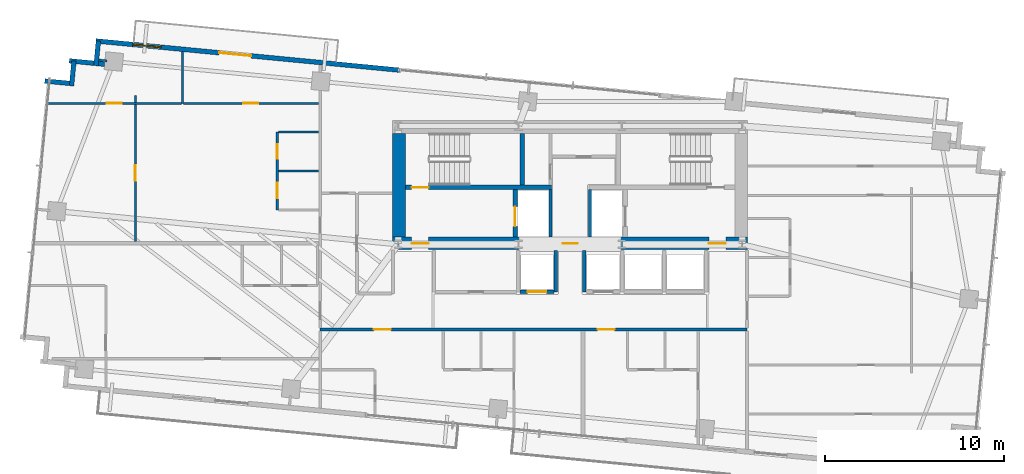
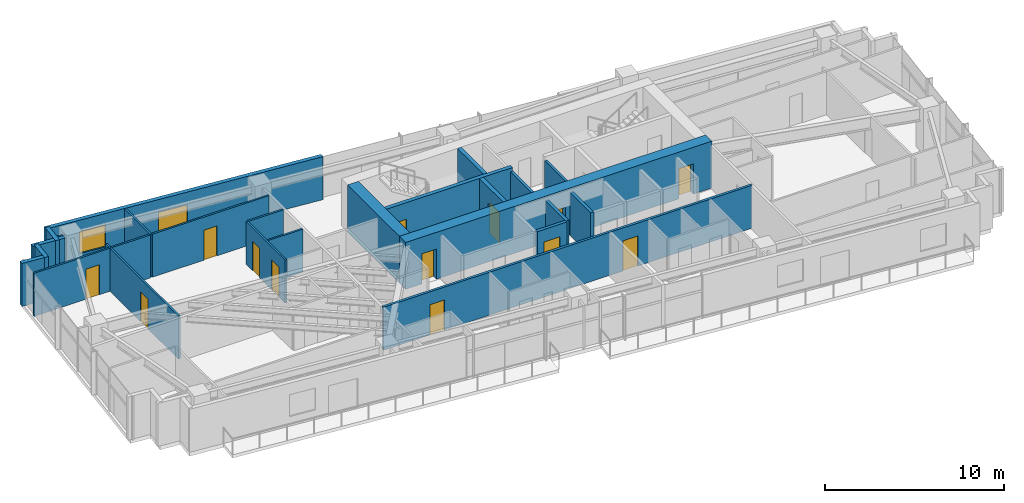
# One storey, part 16 of 20: 25 walls, 14 doors, 1 window, 15 openings.
"""IFC4 building model written with IfcOpenShell, lengths in metres."""

from ifc_helpers import new_model, si_unit, direction, frame, frame_2d, origin, place, context, subcontext, project, spatial, rectangle, extrude, source, transform, mapped, material, layer, layer_set, type_object, type_shapes, element, fill, save


model = new_model("IFC4")

# Units and contexts
model_context = context("Model", 3, precision=1e-05, world=origin(), true_north=direction((0.0, 1.0)))
body_context = subcontext(model_context, "Body", "Model", "MODEL_VIEW")
ifc_project = project(units=[si_unit("LENGTHUNIT", "METRE"), si_unit("AREAUNIT", "SQUARE_METRE"), si_unit("VOLUMEUNIT", "CUBIC_METRE"), si_unit("PLANEANGLEUNIT", "RADIAN"), si_unit("MASSUNIT", "GRAM", prefix="KILO")], contexts=[model_context])

# Site, building, storey
site_placement = place(None, origin())
site = spatial("IfcSite", under=ifc_project, at=site_placement, CompositionType="ELEMENT")
building_placement = place(site_placement, origin())
building = spatial("IfcBuilding", under=site, at=building_placement, Name="Astriad Promenade Condominiums", CompositionType="ELEMENT")
storey_placement = place(building_placement, frame((0.0, 0.0, 131.0)))
storey = spatial("IfcBuildingStorey", under=building, at=storey_placement, Name="L37", CompositionType="ELEMENT", Elevation=131.0)

# Wall, openings, doors
ifc_material_1 = material(Name="Concrete C60/75", Category="concrete")
ifc_layer_1 = layer(ifc_material_1, 0.699951171875)
ifc_layer_set_1 = layer_set([ifc_layer_1], Name="Concrete C60/75")
wall_type_1 = type_object("IfcWallType", Name="CW-SHEAR-700", PredefinedType="SHEAR", material=ifc_layer_set_1)
wall_1_placement = place(storey_placement, frame((26.10009765625, 17.449951171875, 0.0), z_axis=(0.0, 0.0, 1.0), x_axis=(1.0, 0.0, 0.0)))
wall_1 = element("IfcWall", 1, at=wall_1_placement, inside=storey, type_object=wall_type_1, Name="CW-CORE-S-L37", PredefinedType="SHEAR", context=body_context, shape_type="SweptSolid", body=[
    extrude(rectangle(XDim=19.7998046875, YDim=0.699951171875, at=frame_2d((9.89990234375, 0.0))), origin(), (0.0, 0.0, 1.0), 3.199951171875),
])
opening_1_placement = place(wall_1_placement, frame((1.050048828125, 0.0, 0.0)))
opening_1 = element("IfcOpeningElement", 2, at=opening_1_placement, cuts=wall_1, Name="Opening FD90-ST-095", PredefinedType="OPENING", context=body_context, shape_type="SweptSolid", body=[
    extrude(rectangle(XDim=0.949951171875, YDim=2.06005859375, at=frame_2d((0.47509765625, 1.030029296875))), frame((0.0, 0.35986328125, 0.0), z_axis=(0.0, -1.0, 0.0), x_axis=(1.0, 0.0, 0.0)), (0.0, 0.0, 1.0), 0.719970703125),
])
opening_2_placement = place(wall_1_placement, frame((9.47998046875, 0.0, 0.0)))
opening_2 = element("IfcOpeningElement", 3, at=opening_2_placement, cuts=wall_1, Name="Opening FD60-ULOW-085", PredefinedType="OPENING", context=body_context, shape_type="SweptSolid", body=[
    extrude(rectangle(XDim=0.85009765625, YDim=2.0, at=frame_2d((0.425048828125, 1.0))), frame((0.0, 0.35986328125, 0.0), z_axis=(0.0, -1.0, 0.0), x_axis=(1.0, 0.0, 0.0)), (0.0, 0.0, 1.0), 0.719970703125),
])
opening_3_placement = place(wall_1_placement, frame((17.64990234375, 0.0, 0.0)))
opening_3 = element("IfcOpeningElement", 4, at=opening_3_placement, cuts=wall_1, Name="Opening FD90-ST-095", PredefinedType="OPENING", context=body_context, shape_type="SweptSolid", body=[
    extrude(rectangle(XDim=0.949951171875, YDim=2.06005859375, at=frame_2d((0.47509765625, 1.030029296875))), frame((0.0, 0.35986328125, 0.0), z_axis=(0.0, -1.0, 0.0), x_axis=(1.0, 0.0, 0.0)), (0.0, 0.0, 1.0), 0.719970703125),
])
ifc_material_2 = material(Name="Fire-Rated Hollow Metal Stair Door")
door_type_1 = type_object("IfcDoorType", Name="FD90-ST-095", OperationType="NOTDEFINED", PredefinedType="DOOR", material=ifc_material_2)
shared_shape_1 = source(origin(), body_context, "Body", "SweptSolid", [
    extrude(rectangle(XDim=0.949951171875, YDim=2.06005859375, at=frame_2d((0.47509765625, 1.030029296875))), frame((0.0, 0.02490234375, 0.0), z_axis=(0.0, -1.0, 0.0), x_axis=(1.0, 0.0, 0.0)), (0.0, 0.0, 1.0), 0.050048828125),
])
type_shapes(door_type_1, [shared_shape_1])
door_1_placement = place(opening_1_placement, origin())
door_1 = element("IfcDoor", 5, at=door_1_placement, inside=storey, type_object=door_type_1, Name="D-FFW-L37", OperationType="SINGLE_SWING_LEFT", OverallHeight=2.06005859375, OverallWidth=0.949951171875, PredefinedType="DOOR", context=body_context, shape_type="MappedRepresentation", body=[
    mapped(shared_shape_1, transform((0.0, 0.0, 0.0), scale=1.0)),
])
fill(opening_1, door_1)
door_2_placement = place(opening_3_placement, origin())
door_2 = element("IfcDoor", 6, at=door_2_placement, inside=storey, type_object=door_type_1, Name="D-FFE-L37", OperationType="SINGLE_SWING_RIGHT", OverallHeight=2.06005859375, OverallWidth=0.949951171875, PredefinedType="DOOR", context=body_context, shape_type="MappedRepresentation", body=[
    mapped(shared_shape_1, transform((0.0, 0.0, 0.0), scale=1.0)),
])
fill(opening_3, door_2)
ifc_material_3 = material(Name="Solid-Core Low-Headroom Fire Door")
door_type_2 = type_object("IfcDoorType", Name="FD60-ULOW-085", OperationType="NOTDEFINED", PredefinedType="DOOR", material=ifc_material_3)
shared_shape_2 = source(origin(), body_context, "Body", "SweptSolid", [
    extrude(rectangle(XDim=0.85009765625, YDim=2.0, at=frame_2d((0.425048828125, 1.0))), frame((0.0, 0.02490234375, 0.0), z_axis=(0.0, -1.0, 0.0), x_axis=(1.0, 0.0, 0.0)), (0.0, 0.0, 1.0), 0.050048828125),
])
type_shapes(door_type_2, [shared_shape_2])
door_3_placement = place(opening_2_placement, origin())
door_3 = element("IfcDoor", 7, at=door_3_placement, inside=storey, type_object=door_type_2, Name="D-CSL-L37", OperationType="SINGLE_SWING_RIGHT", OverallHeight=2.0, OverallWidth=0.85009765625, PredefinedType="DOOR", context=body_context, shape_type="MappedRepresentation", body=[
    mapped(shared_shape_2, transform((0.0, 0.0, 0.0), scale=1.0)),
])
fill(opening_2, door_3)

# Wall
wall_2_placement = place(storey_placement, frame((26.449951171875, 17.802001953125, 0.0), z_axis=(0.0, 0.0, 1.0), x_axis=(0.0, 1.0, 0.0)))
element("IfcWall", 8, at=wall_2_placement, inside=storey, type_object=wall_type_1, Name="CW-CORE-W-L37", PredefinedType="SHEAR", context=body_context, shape_type="SweptSolid", body=[
    extrude(rectangle(XDim=5.7958984375, YDim=0.699951171875, at=frame_2d((2.89794921875, 0.0))), origin(), (0.0, 0.0, 1.0), 3.199951171875),
])

# Wall, opening, door
ifc_material_4 = material(Name="Concrete C50/60", Category="concrete")
ifc_layer_2 = layer(ifc_material_4, 0.25)
ifc_layer_set_2 = layer_set([ifc_layer_2], Name="Concrete C50/60")
wall_type_2 = type_object("IfcWallType", Name="WALL-CORE-INT-250", PredefinedType="SOLIDWALL", material=ifc_layer_set_2)
wall_3_placement = place(storey_placement, frame((26.802001953125, 20.574951171875, 0.0), z_axis=(0.0, 0.0, 1.0), x_axis=(1.0, 0.0, 0.0)))
wall_3 = element("IfcWall", 9, at=wall_3_placement, inside=storey, type_object=wall_type_2, Name="CW-INT-H1-L37", PredefinedType="SOLIDWALL", context=body_context, shape_type="SweptSolid", body=[
    extrude(rectangle(XDim=8.14794921875, YDim=0.25, at=frame_2d((4.073974609375, 0.0))), origin(), (0.0, 0.0, 1.0), 3.199951171875),
])
opening_4_placement = place(wall_3_placement, frame((0.347900390625, 0.0, 0.0)))
opening_4 = element("IfcOpeningElement", 10, at=opening_4_placement, cuts=wall_3, Name="Opening FD90-ST-095", PredefinedType="OPENING", context=body_context, shape_type="SweptSolid", body=[
    extrude(rectangle(XDim=0.949951171875, YDim=2.06005859375, at=frame_2d((0.47509765625, 1.030029296875))), frame((0.0, 0.135009765625, 0.0), z_axis=(0.0, -1.0, 0.0), x_axis=(1.0, 0.0, 0.0)), (0.0, 0.0, 1.0), 0.27001953125),
])
door_4_placement = place(opening_4_placement, origin())
door_4 = element("IfcDoor", 11, at=door_4_placement, inside=storey, type_object=door_type_1, Name="D-ST1-L37", OperationType="SINGLE_SWING_LEFT", OverallHeight=2.06005859375, OverallWidth=0.949951171875, PredefinedType="DOOR", context=body_context, shape_type="MappedRepresentation", body=[
    mapped(shared_shape_1, transform((0.0, 0.0, 0.0), scale=1.0)),
])
fill(opening_4, door_4)

# Wall
wall_4_placement = place(storey_placement, frame((33.324951171875, 20.701904296875, 0.0), z_axis=(0.0, 0.0, 1.0), x_axis=(0.0, 1.0, 0.0)))
element("IfcWall", 12, at=wall_4_placement, inside=storey, type_object=wall_type_2, Name="CW-ST1-E-L37", PredefinedType="SOLIDWALL", context=body_context, shape_type="SweptSolid", body=[
    extrude(rectangle(XDim=2.89599609375, YDim=0.25, at=frame_2d((1.447998046875, 0.0))), origin(), (0.0, 0.0, 1.0), 3.199951171875),
])

# Wall, opening, door
wall_5_placement = place(storey_placement, frame((32.925048828125, 17.802001953125, 0.0), z_axis=(0.0, 0.0, 1.0), x_axis=(0.0, 1.0, 0.0)))
wall_5 = element("IfcWall", 13, at=wall_5_placement, inside=storey, type_object=wall_type_2, Name="CW-FFL1-W-L37", PredefinedType="SOLIDWALL", context=body_context, shape_type="SweptSolid", body=[
    extrude(rectangle(XDim=2.64599609375, YDim=0.25, at=frame_2d((1.322998046875, 0.0))), origin(), (0.0, 0.0, 1.0), 3.199951171875),
])
opening_5_placement = place(wall_5_placement, frame((0.597900390625, 0.0, 0.0)))
opening_5 = element("IfcOpeningElement", 14, at=opening_5_placement, cuts=wall_5, Name="Opening LD-FFL-1122", PredefinedType="OPENING", context=body_context, shape_type="SweptSolid", body=[
    extrude(rectangle(XDim=1.10009765625, YDim=2.080078125, at=frame_2d((0.550048828125, 1.0400390625))), frame((0.0, 0.135009765625, 0.0), z_axis=(0.0, -1.0, 0.0), x_axis=(1.0, 0.0, 0.0)), (0.0, 0.0, 1.0), 0.27001953125),
])
ifc_material_5 = material(Name="Brushed Stainless Steel Fire Elevator Landing Door", Category="steel")
door_type_3 = type_object("IfcDoorType", Name="LD-FFL-1122", OperationType="NOTDEFINED", PredefinedType="DOOR", material=ifc_material_5)
shared_shape_3 = source(origin(), body_context, "Body", "SweptSolid", [
    extrude(rectangle(XDim=1.10009765625, YDim=2.080078125, at=frame_2d((0.550048828125, 1.0400390625))), frame((0.0, 0.02490234375, 0.0), z_axis=(0.0, -1.0, 0.0), x_axis=(1.0, 0.0, 0.0)), (0.0, 0.0, 1.0), 0.050048828125),
])
type_shapes(door_type_3, [shared_shape_3])
door_5_placement = place(opening_5_placement, origin())
door_5 = element("IfcDoor", 15, at=door_5_placement, inside=storey, type_object=door_type_3, Name="Elevator Landing Door FFL-1 (L37)", OperationType="SLIDING_TO_LEFT", OverallHeight=2.080078125, OverallWidth=1.10009765625, PredefinedType="DOOR", context=body_context, shape_type="MappedRepresentation", body=[
    mapped(shared_shape_3, transform((0.0, 0.0, 0.0), scale=1.0)),
])
fill(opening_5, door_5)

# Walls
ifc_material_6 = material(Name="Fire-Rated Gypsum Partition")
ifc_layer_3 = layer(ifc_material_6, 0.159912109375)
ifc_layer_set_3 = layer_set([ifc_layer_3], Name="Fire-Rated Gypsum Partition")
wall_type_3 = type_object("IfcWallType", Name="WALL-CORR-160", PredefinedType="PARTITIONING", material=ifc_layer_set_3)
for number, where, z_axis, x_axis, name in (
    (16, (34.89990234375, 17.802001953125, 0.0), (0.0, 0.0, 1.0), (0.0, 1.0, 0.0), "CW-FFL1-E-L37"),
    (17, (37.10009765625, 17.802001953125, 0.0), (0.0, 0.0, 1.0), (0.0, 1.0, 0.0), "CW-FFL2-W-L37"),
):
    element("IfcWall", number, at=place(storey_placement, frame(where, z_axis=z_axis, x_axis=x_axis)), inside=storey, type_object=wall_type_3, Name=name, PredefinedType="PARTITIONING", context=body_context, shape_type="SweptSolid", body=[
        extrude(rectangle(XDim=2.64599609375, YDim=0.159912109375, at=frame_2d((1.322998046875, 0.0))), origin(), (0.0, 0.0, 1.0), 2.93994140625),
    ])

# Wall, openings, doors
wall_6_placement = place(storey_placement, frame((22.050048828125, 12.64990234375, 0.0), z_axis=(0.0, 0.0, 1.0), x_axis=(1.0, 0.0, 0.0)))
wall_6 = element("IfcWall", 18, at=wall_6_placement, inside=storey, type_object=wall_type_3, Name="PT-COR-S-L37", PredefinedType="PARTITIONING", context=body_context, shape_type="SweptSolid", body=[
    extrude(rectangle(XDim=23.829833984375, YDim=0.159912109375, at=frame_2d((11.9150390625, 0.0))), origin(), (0.0, 0.0, 1.0), 2.93994140625),
])
opening_6_placement = place(wall_6_placement, frame((3.0, 0.0, 0.0)))
opening_6 = element("IfcOpeningElement", 19, at=opening_6_placement, cuts=wall_6, Name="Opening FD60-APT-095", PredefinedType="OPENING", context=body_context, shape_type="SweptSolid", body=[
    extrude(rectangle(XDim=0.949951171875, YDim=2.06005859375, at=frame_2d((0.47509765625, 1.030029296875))), frame((0.0, 0.08984375, 0.0), z_axis=(0.0, -1.0, 0.0), x_axis=(1.0, 0.0, 0.0)), (0.0, 0.0, 1.0), 0.179931640625),
])
opening_7_placement = place(wall_6_placement, frame((15.485107421875, 0.0, 0.0)))
opening_7 = element("IfcOpeningElement", 20, at=opening_7_placement, cuts=wall_6, Name="Opening FD60-APT-095", PredefinedType="OPENING", context=body_context, shape_type="SweptSolid", body=[
    extrude(rectangle(XDim=0.949951171875, YDim=2.06005859375, at=frame_2d((0.47509765625, 1.030029296875))), frame((0.0, 0.08984375, 0.0), z_axis=(0.0, -1.0, 0.0), x_axis=(1.0, 0.0, 0.0)), (0.0, 0.0, 1.0), 0.179931640625),
])
ifc_material_7 = material(Name="Solid-Core Acoustic Timber Residence Entry Door", Category="wood")
door_type_4 = type_object("IfcDoorType", Name="FD60-APT-095", OperationType="NOTDEFINED", PredefinedType="DOOR", material=ifc_material_7)
shared_shape_4 = source(origin(), body_context, "Body", "SweptSolid", [
    extrude(rectangle(XDim=0.949951171875, YDim=2.06005859375, at=frame_2d((0.47509765625, 1.030029296875))), frame((0.0, 0.02490234375, 0.0), z_axis=(0.0, -1.0, 0.0), x_axis=(1.0, 0.0, 0.0)), (0.0, 0.0, 1.0), 0.050048828125),
])
type_shapes(door_type_4, [shared_shape_4])
door_6_placement = place(opening_6_placement, origin())
door_6 = element("IfcDoor", 21, at=door_6_placement, inside=storey, type_object=door_type_4, Name="D-ENT-L37-S1", OperationType="SINGLE_SWING_LEFT", OverallHeight=2.06005859375, OverallWidth=0.949951171875, PredefinedType="DOOR", context=body_context, shape_type="MappedRepresentation", body=[
    mapped(shared_shape_4, transform((0.0, 0.0, 0.0), scale=1.0)),
])
fill(opening_6, door_6)
door_7_placement = place(opening_7_placement, origin())
door_7 = element("IfcDoor", 22, at=door_7_placement, inside=storey, type_object=door_type_4, Name="D-ENT-L37-S2", OperationType="SINGLE_SWING_LEFT", OverallHeight=2.06005859375, OverallWidth=0.949951171875, PredefinedType="DOOR", context=body_context, shape_type="MappedRepresentation", body=[
    mapped(shared_shape_4, transform((0.0, 0.0, 0.0), scale=1.0)),
])
fill(opening_7, door_7)

# Walls
ifc_material_8 = material(Name="Precast concrete C50/60", Category="concrete")
ifc_layer_4 = layer(ifc_material_8, 0.260009765625)
ifc_layer_set_4 = layer_set([ifc_layer_4], Name="Precast concrete C50/60")
wall_type_4 = type_object("IfcWallType", Name="WALL-EXT-TWR-260", PredefinedType="STANDARD", material=ifc_layer_set_4)
wall_7_placement = place(storey_placement, frame((6.68115234375, 26.518310546875, 0.0), z_axis=(0.0, 0.0, 1.0), x_axis=(0.995389446633, -0.095915846097, 0.0)))
element("IfcWall", 23, at=wall_7_placement, inside=storey, type_object=wall_type_4, Name="W-SER-L37-04", PredefinedType="STANDARD", context=body_context, shape_type="SweptSolid", body=[
    extrude(rectangle(XDim=1.394775390625, YDim=0.260009765625, at=frame_2d((0.697265625, 0.0))), origin(), (0.0, 0.0, 1.0), 2.93994140625),
])
wall_8_placement = place(storey_placement, frame((8.171875, 26.243896484375, 0.0), z_axis=(0.0, 0.0, 1.0), x_axis=(0.095725744959, 0.99540774648, 0.0)))
element("IfcWall", 24, at=wall_8_placement, inside=storey, type_object=wall_type_4, Name="W-SER-L37-05", PredefinedType="STANDARD", context=body_context, shape_type="SweptSolid", body=[
    extrude(rectangle(XDim=1.39501953125, YDim=0.260009765625, at=frame_2d((0.697509765625, 0.0))), origin(), (0.0, 0.0, 1.0), 2.93994140625),
])
wall_9_placement = place(storey_placement, frame((8.045166015625, 27.642578125, 0.0), z_axis=(0.0, 0.0, 1.0), x_axis=(0.995391147587, -0.095898192396, 0.0)))
element("IfcWall", 25, at=wall_9_placement, inside=storey, type_object=wall_type_4, Name="W-SER-L37-06", PredefinedType="STANDARD", context=body_context, shape_type="SweptSolid", body=[
    extrude(rectangle(XDim=1.97802734375, YDim=0.260009765625, at=frame_2d((0.989013671875, 0.0))), origin(), (0.0, 0.0, 1.0), 2.93994140625),
])
wall_10_placement = place(storey_placement, frame((9.535888671875, 27.368408203125, 0.0), z_axis=(0.0, 0.0, 1.0), x_axis=(0.095915846097, 0.995389446633, 0.0)))
element("IfcWall", 26, at=wall_10_placement, inside=storey, type_object=wall_type_4, Name="W-SER-L37-07", PredefinedType="STANDARD", context=body_context, shape_type="SweptSolid", body=[
    extrude(rectangle(XDim=1.394775390625, YDim=0.260009765625, at=frame_2d((0.697265625, 0.0))), origin(), (0.0, 0.0, 1.0), 2.93994140625),
])

# Wall, openings, door, window
wall_11_placement = place(storey_placement, frame((9.538818359375, 28.75439453125, 0.0), z_axis=(0.0, 0.0, 1.0), x_axis=(0.995397345886, -0.09583383433, 0.0)))
wall_11 = element("IfcWall", 27, at=wall_11_placement, inside=storey, type_object=wall_type_4, Name="W-EXT-L37-N1", PredefinedType="STANDARD", context=body_context, shape_type="SweptSolid", body=[
    extrude(rectangle(XDim=17.010009765625, YDim=0.260009765625, at=frame_2d((8.5048828125, 0.0))), origin(), (0.0, 0.0, 1.0), 2.93994140625),
])
opening_8_placement = place(wall_11_placement, frame((6.903076171875, 0.0, 0.0)))
opening_8 = element("IfcOpeningElement", 28, at=opening_8_placement, cuts=wall_11, Name="Opening BD-1822-SLD", PredefinedType="OPENING", context=body_context, shape_type="SweptSolid", body=[
    extrude(rectangle(XDim=1.800048828125, YDim=2.06005859375, at=frame_2d((0.89990234375, 1.030029296875))), frame((0.0, 0.139892578125, 0.0), z_axis=(0.0, -1.0, 0.0), x_axis=(1.0, 0.0, 0.0)), (0.0, 0.0, 1.0), 0.280029296875),
])
opening_9_placement = place(wall_11_placement, frame((2.050048828125, 0.0, 0.64990234375)))
opening_9 = element("IfcOpeningElement", 29, at=opening_9_placement, cuts=wall_11, Name="Opening WIN-TWR-1620", PredefinedType="OPENING", context=body_context, shape_type="SweptSolid", body=[
    extrude(rectangle(XDim=1.60009765625, YDim=1.5, at=frame_2d((0.800048828125, 0.75))), frame((0.0, 0.139892578125, 0.0), z_axis=(0.0, -1.0, 0.0), x_axis=(1.0, 0.0, 0.0)), (0.0, 0.0, 1.0), 0.280029296875),
])
ifc_material_9 = material(Name="Thermally Broken Aluminium Sliding Balcony Door", Category="aluminium")
door_type_5 = type_object("IfcDoorType", Name="BD-1822-SLD", OperationType="NOTDEFINED", PredefinedType="DOOR", material=ifc_material_9)
shared_shape_5 = source(origin(), body_context, "Body", "SweptSolid", [
    extrude(rectangle(XDim=1.800048828125, YDim=2.06005859375, at=frame_2d((0.89990234375, 1.030029296875))), frame((0.0, 0.02490234375, 0.0), z_axis=(0.0, -1.0, 0.0), x_axis=(1.0, 0.0, 0.0)), (0.0, 0.0, 1.0), 0.050048828125),
])
type_shapes(door_type_5, [shared_shape_5])
door_8_placement = place(opening_8_placement, origin())
door_8 = element("IfcDoor", 30, at=door_8_placement, inside=storey, type_object=door_type_5, Name="BD-L37-NW", OperationType="SLIDING_TO_LEFT", OverallHeight=2.06005859375, OverallWidth=1.800048828125, PredefinedType="DOOR", context=body_context, shape_type="MappedRepresentation", body=[
    mapped(shared_shape_5, transform((0.0, 0.0, 0.0), scale=1.0)),
])
fill(opening_8, door_8)
ifc_material_10 = material(Name="Dark Tinted Triple-Glazed Aluminium Window", Category="aluminium")
window_type = type_object("IfcWindowType", Name="WIN-TWR-1620", PartitioningType="SINGLE_PANEL", PredefinedType="WINDOW", material=ifc_material_10)
shared_shape_6 = source(origin(), body_context, "Body", "SweptSolid", [
    extrude(rectangle(XDim=1.60009765625, YDim=1.5, at=frame_2d((0.800048828125, 0.75))), frame((0.0, 0.030029296875, 0.0), z_axis=(0.0, -1.0, 0.0), x_axis=(1.0, 0.0, 0.0)), (0.0, 0.0, 1.0), 0.06005859375),
])
type_shapes(window_type, [shared_shape_6])
window_placement = place(opening_9_placement, origin())
window = element("IfcWindow", 31, at=window_placement, inside=storey, type_object=window_type, Name="WIN-L37-NW", OverallHeight=1.5, OverallWidth=1.60009765625, PartitioningType="SINGLE_PANEL", PredefinedType="WINDOW", context=body_context, shape_type="MappedRepresentation", body=[
    mapped(shared_shape_6, transform((0.0, 0.0, 0.0), scale=1.0)),
])
fill(opening_9, window)

# Wall, openings, doors
ifc_material_11 = material(Name="Acoustic Metal-Stud Gypsum Partition")
ifc_layer_5 = layer(ifc_material_11, 0.1201171875)
ifc_layer_set_5 = layer_set([ifc_layer_5], Name="Acoustic Metal-Stud Gypsum Partition")
wall_type_5 = type_object("IfcWallType", Name="WALL-PART-120", PredefinedType="PARTITIONING", material=ifc_layer_set_5)
wall_12_placement = place(storey_placement, frame((19.64990234375, 19.320068359375, 0.0), z_axis=(0.0, 0.0, 1.0), x_axis=(0.0, 1.0, 0.0)))
wall_12 = element("IfcWall", 32, at=wall_12_placement, inside=storey, type_object=wall_type_5, Name="PT-L37-W2-PV", PredefinedType="PARTITIONING", context=body_context, shape_type="SweptSolid", body=[
    extrude(rectangle(XDim=4.349853515625, YDim=0.1201171875, at=frame_2d((2.1748046875, 0.0))), origin(), (0.0, 0.0, 1.0), 2.93994140625),
])
opening_10_placement = place(wall_12_placement, frame((0.662109375, 0.0, 0.0)))
opening_10 = element("IfcOpeningElement", 33, at=opening_10_placement, cuts=wall_12, Name="Opening D-INT-085", PredefinedType="OPENING", context=body_context, shape_type="SweptSolid", body=[
    extrude(rectangle(XDim=0.85009765625, YDim=2.050048828125, at=frame_2d((0.425048828125, 1.02490234375))), frame((0.0, 0.070068359375, 0.0), z_axis=(0.0, -1.0, 0.0), x_axis=(1.0, 0.0, 0.0)), (0.0, 0.0, 1.0), 0.14013671875),
])
opening_11_placement = place(wall_12_placement, frame((2.863037109375, 0.0, 0.0)))
opening_11 = element("IfcOpeningElement", 34, at=opening_11_placement, cuts=wall_12, Name="Opening D-WET-080", PredefinedType="OPENING", context=body_context, shape_type="SweptSolid", body=[
    extrude(rectangle(XDim=0.800048828125, YDim=2.02001953125, at=frame_2d((0.39990234375, 1.010009765625))), frame((0.0, 0.070068359375, 0.0), z_axis=(0.0, -1.0, 0.0), x_axis=(1.0, 0.0, 0.0)), (0.0, 0.0, 1.0), 0.14013671875),
])
ifc_material_12 = material(Name="Moisture-Resistant Timber Bathroom Door", Category="wood")
door_type_6 = type_object("IfcDoorType", Name="D-WET-080", OperationType="NOTDEFINED", PredefinedType="DOOR", material=ifc_material_12)
shared_shape_7 = source(origin(), body_context, "Body", "SweptSolid", [
    extrude(rectangle(XDim=0.800048828125, YDim=2.02001953125, at=frame_2d((0.39990234375, 1.010009765625))), frame((0.0, 0.02490234375, 0.0), z_axis=(0.0, -1.0, 0.0), x_axis=(1.0, 0.0, 0.0)), (0.0, 0.0, 1.0), 0.050048828125),
])
type_shapes(door_type_6, [shared_shape_7])
door_9_placement = place(opening_11_placement, origin())
door_9 = element("IfcDoor", 35, at=door_9_placement, inside=storey, type_object=door_type_6, Name="D-BTH-L37-W2", OperationType="SINGLE_SWING_RIGHT", OverallHeight=2.02001953125, OverallWidth=0.800048828125, PredefinedType="DOOR", context=body_context, shape_type="MappedRepresentation", body=[
    mapped(shared_shape_7, transform((0.0, 0.0, 0.0), scale=1.0)),
])
fill(opening_11, door_9)
ifc_material_13 = material(Name="Painted Solid-Core Timber Room Door", Category="wood")
door_type_7 = type_object("IfcDoorType", Name="D-INT-085", OperationType="NOTDEFINED", PredefinedType="DOOR", material=ifc_material_13)
shared_shape_8 = source(origin(), body_context, "Body", "SweptSolid", [
    extrude(rectangle(XDim=0.85009765625, YDim=2.050048828125, at=frame_2d((0.425048828125, 1.02490234375))), frame((0.0, 0.02490234375, 0.0), z_axis=(0.0, -1.0, 0.0), x_axis=(1.0, 0.0, 0.0)), (0.0, 0.0, 1.0), 0.050048828125),
])
type_shapes(door_type_7, [shared_shape_8])
door_10_placement = place(opening_10_placement, origin())
door_10 = element("IfcDoor", 36, at=door_10_placement, inside=storey, type_object=door_type_7, Name="D-KIT-L37-W2", OperationType="SINGLE_SWING_LEFT", OverallHeight=2.050048828125, OverallWidth=0.85009765625, PredefinedType="DOOR", context=body_context, shape_type="MappedRepresentation", body=[
    mapped(shared_shape_8, transform((0.0, 0.0, 0.0), scale=1.0)),
])
fill(opening_10, door_10)

# Walls
for number, where, z_axis, x_axis, name in (
    (37, (19.7119140625, 21.4951171875, 0.0), (0.0, 0.0, 1.0), (1.0, 0.0, 0.0), "PT-L37-W2-PM"),
    (38, (19.7119140625, 23.669921875, 0.0), (0.0, 0.0, 1.0), (1.0, 0.0, 0.0), "PT-L37-W2-PN"),
):
    element("IfcWall", number, at=place(storey_placement, frame(where, z_axis=z_axis, x_axis=x_axis)), inside=storey, type_object=wall_type_5, Name=name, PredefinedType="PARTITIONING", context=body_context, shape_type="SweptSolid", body=[
        extrude(rectangle(XDim=2.256103515625, YDim=0.1201171875, at=frame_2d((1.1279296875, 0.0))), origin(), (0.0, 0.0, 1.0), 2.93994140625),
    ])
wall_13_placement = place(storey_placement, frame((14.364013671875, 25.26806640625, 0.0), z_axis=(0.0, 0.0, 1.0), x_axis=(0.0, 1.0, 0.0)))
element("IfcWall", 39, at=wall_13_placement, inside=storey, type_object=wall_type_5, Name="PT-L37-W2-B1M", PredefinedType="PARTITIONING", context=body_context, shape_type="SweptSolid", body=[
    extrude(rectangle(XDim=2.88916015625, YDim=0.1201171875, at=frame_2d((1.444580078125, 0.0))), origin(), (0.0, 0.0, 1.0), 2.93994140625),
])

# Wall, opening, door
wall_14_placement = place(storey_placement, frame((6.771728515625, 25.26806640625, 0.0), z_axis=(0.0, 0.0, 1.0), x_axis=(1.0, 0.0, 0.0)))
wall_14 = element("IfcWall", 40, at=wall_14_placement, inside=storey, type_object=wall_type_5, Name="PT-L37-W2-B1", PredefinedType="PARTITIONING", context=body_context, shape_type="SweptSolid", body=[
    extrude(rectangle(XDim=7.5302734375, YDim=0.1201171875, at=frame_2d((3.76513671875, 0.0))), origin(), (0.0, 0.0, 1.0), 2.93994140625),
])
opening_12_placement = place(wall_14_placement, frame((3.3642578125, 0.0, 0.0)))
opening_12 = element("IfcOpeningElement", 41, at=opening_12_placement, cuts=wall_14, Name="Opening D-INT-085", PredefinedType="OPENING", context=body_context, shape_type="SweptSolid", body=[
    extrude(rectangle(XDim=0.85009765625, YDim=2.050048828125, at=frame_2d((0.425048828125, 1.02490234375))), frame((0.0, 0.070068359375, 0.0), z_axis=(0.0, -1.0, 0.0), x_axis=(1.0, 0.0, 0.0)), (0.0, 0.0, 1.0), 0.14013671875),
])
door_11_placement = place(opening_12_placement, origin())
door_11 = element("IfcDoor", 42, at=door_11_placement, inside=storey, type_object=door_type_7, Name="D-BD1-L37-W2", OperationType="SINGLE_SWING_LEFT", OverallHeight=2.050048828125, OverallWidth=0.85009765625, PredefinedType="DOOR", context=body_context, shape_type="MappedRepresentation", body=[
    mapped(shared_shape_8, transform((0.0, 0.0, 0.0), scale=1.0)),
])
fill(opening_12, door_11)

wall_15_placement = place(storey_placement, frame((14.426025390625, 25.26806640625, 0.0), z_axis=(0.0, 0.0, 1.0), x_axis=(1.0, 0.0, 0.0)))
wall_15 = element("IfcWall", 43, at=wall_15_placement, inside=storey, type_object=wall_type_5, Name="PT-L37-W2-B1-S2", PredefinedType="PARTITIONING", context=body_context, shape_type="SweptSolid", body=[
    extrude(rectangle(XDim=7.5419921875, YDim=0.1201171875, at=frame_2d((3.77099609375, 0.0))), origin(), (0.0, 0.0, 1.0), 2.93994140625),
])
opening_13_placement = place(wall_15_placement, frame((3.31591796875, 0.0, 0.0)))
opening_13 = element("IfcOpeningElement", 44, at=opening_13_placement, cuts=wall_15, Name="Opening D-INT-085", PredefinedType="OPENING", context=body_context, shape_type="SweptSolid", body=[
    extrude(rectangle(XDim=0.85009765625, YDim=2.050048828125, at=frame_2d((0.425048828125, 1.02490234375))), frame((0.0, 0.070068359375, 0.0), z_axis=(0.0, -1.0, 0.0), x_axis=(1.0, 0.0, 0.0)), (0.0, 0.0, 1.0), 0.14013671875),
])
door_12_placement = place(opening_13_placement, origin())
door_12 = element("IfcDoor", 45, at=door_12_placement, inside=storey, type_object=door_type_7, Name="D-BD1B-L37-W2", OperationType="SINGLE_SWING_RIGHT", OverallHeight=2.050048828125, OverallWidth=0.85009765625, PredefinedType="DOOR", context=body_context, shape_type="MappedRepresentation", body=[
    mapped(shared_shape_8, transform((0.0, 0.0, 0.0), scale=1.0)),
])
fill(opening_13, door_12)

wall_16_placement = place(storey_placement, frame((11.738037109375, 17.552001953125, 0.0), z_axis=(0.0, 0.0, 1.0), x_axis=(0.0, 1.0, 0.0)))
wall_16 = element("IfcWall", 46, at=wall_16_placement, inside=storey, type_object=wall_type_5, Name="PT-L37-W2-WDV1", PredefinedType="PARTITIONING", context=body_context, shape_type="SweptSolid", body=[
    extrude(rectangle(XDim=7.654052734375, YDim=0.1201171875, at=frame_2d((3.8271484375, 0.0))), origin(), (0.0, 0.0, 1.0), 2.93994140625),
])
opening_14_placement = place(wall_16_placement, frame((3.402099609375, 0.0, 0.0)))
opening_14 = element("IfcOpeningElement", 47, at=opening_14_placement, cuts=wall_16, Name="Opening D-INT-085", PredefinedType="OPENING", context=body_context, shape_type="SweptSolid", body=[
    extrude(rectangle(XDim=0.85009765625, YDim=2.050048828125, at=frame_2d((0.425048828125, 1.02490234375))), frame((0.0, 0.070068359375, 0.0), z_axis=(0.0, -1.0, 0.0), x_axis=(1.0, 0.0, 0.0)), (0.0, 0.0, 1.0), 0.14013671875),
])
door_13_placement = place(opening_14_placement, origin())
door_13 = element("IfcDoor", 48, at=door_13_placement, inside=storey, type_object=door_type_7, Name="D-WDV1-L37-W2", OperationType="SINGLE_SWING_LEFT", OverallHeight=2.050048828125, OverallWidth=0.85009765625, PredefinedType="DOOR", context=body_context, shape_type="MappedRepresentation", body=[
    mapped(shared_shape_8, transform((0.0, 0.0, 0.0), scale=1.0)),
])
fill(opening_14, door_13)

# Walls
wall_17_placement = place(storey_placement, frame((11.738037109375, 25.330078125, 0.0), z_axis=(0.0, 0.0, 1.0), x_axis=(0.0, 1.0, 0.0)))
element("IfcWall", 49, at=wall_17_placement, inside=storey, type_object=wall_type_5, Name="PT-L37-W2-WDV1-S2", PredefinedType="PARTITIONING", context=body_context, shape_type="SweptSolid", body=[
    extrude(rectangle(XDim=0.3779296875, YDim=0.1201171875, at=frame_2d((0.18896484375, 0.0))), origin(), (0.0, 0.0, 1.0), 2.93994140625),
])
wall_18_placement = place(storey_placement, frame((10.15478515625, 27.640380859375, 0.0), z_axis=(0.0, 0.0, 1.0), x_axis=(-0.995435366701, 0.095438098896, 0.0)))
element("IfcWall", 50, at=wall_18_placement, inside=storey, type_object=wall_type_5, Name="PT-PIL-L37-PC06-13", PredefinedType="PARTITIONING", context=body_context, shape_type="SweptSolid", body=[
    extrude(rectangle(XDim=0.4580078125, YDim=0.1201171875, at=frame_2d((0.22900390625, 0.0))), origin(), (0.0, 0.0, 1.0), 2.93994140625),
])
ifc_material_14 = material(Name="Gypsum Shaftliner Assembly")
ifc_layer_6 = layer(ifc_material_14, 0.199951171875)
ifc_layer_set_6 = layer_set([ifc_layer_6], Name="Gypsum Shaftliner Assembly")
wall_type_6 = type_object("IfcWallType", Name="WALL-SHAFT-200", PredefinedType="PARTITIONING", material=ifc_layer_set_6)
wall_19_placement = place(storey_placement, frame((35.199951171875, 14.75, 0.0), z_axis=(0.0, 0.0, 1.0), x_axis=(0.0, 1.0, 0.0)))
element("IfcWall", 51, at=wall_19_placement, inside=storey, type_object=wall_type_6, Name="PL-M1-E-L37", PredefinedType="PARTITIONING", context=body_context, shape_type="SweptSolid", body=[
    extrude(rectangle(XDim=2.300048828125, YDim=0.199951171875, at=frame_2d((1.14990234375, 0.0))), origin(), (0.0, 0.0, 1.0), 2.93994140625),
])

# Wall, opening, door
wall_20_placement = place(storey_placement, frame((33.201904296875, 14.75, 0.0), z_axis=(0.0, 0.0, 1.0), x_axis=(1.0, 0.0, 0.0)))
wall_20 = element("IfcWall", 52, at=wall_20_placement, inside=storey, type_object=wall_type_6, Name="PL-M1-F-L37", PredefinedType="PARTITIONING", context=body_context, shape_type="SweptSolid", body=[
    extrude(rectangle(XDim=1.89599609375, YDim=0.199951171875, at=frame_2d((0.947998046875, 0.0))), origin(), (0.0, 0.0, 1.0), 2.93994140625),
])
opening_15_placement = place(wall_20_placement, frame((0.423095703125, 0.0, 0.0)))
opening_15 = element("IfcOpeningElement", 53, at=opening_15_placement, cuts=wall_20, Name="Opening LD-PL-10522", PredefinedType="OPENING", context=body_context, shape_type="SweptSolid", body=[
    extrude(rectangle(XDim=1.050048828125, YDim=2.080078125, at=frame_2d((0.52490234375, 1.0400390625))), frame((0.0, 0.10986328125, 0.0), z_axis=(0.0, -1.0, 0.0), x_axis=(1.0, 0.0, 0.0)), (0.0, 0.0, 1.0), 0.219970703125),
])
ifc_material_15 = material(Name="Brushed Bronze Passenger Elevator Landing Door")
door_type_8 = type_object("IfcDoorType", Name="LD-PL-10522", OperationType="NOTDEFINED", PredefinedType="DOOR", material=ifc_material_15)
shared_shape_9 = source(origin(), body_context, "Body", "SweptSolid", [
    extrude(rectangle(XDim=1.050048828125, YDim=2.080078125, at=frame_2d((0.52490234375, 1.0400390625))), frame((0.0, 0.02490234375, 0.0), z_axis=(0.0, -1.0, 0.0), x_axis=(1.0, 0.0, 0.0)), (0.0, 0.0, 1.0), 0.050048828125),
])
type_shapes(door_type_8, [shared_shape_9])
door_14_placement = place(opening_15_placement, origin())
door_14 = element("IfcDoor", 54, at=door_14_placement, inside=storey, type_object=door_type_8, Name="Elevator Landing Door PL-M1 (L37)", OperationType="SLIDING_TO_LEFT", OverallHeight=2.080078125, OverallWidth=1.050048828125, PredefinedType="DOOR", context=body_context, shape_type="MappedRepresentation", body=[
    mapped(shared_shape_9, transform((0.0, 0.0, 0.0), scale=1.0)),
])
fill(opening_15, door_14)

# Wall
wall_21_placement = place(storey_placement, frame((36.800048828125, 14.75, 0.0), z_axis=(0.0, 0.0, 1.0), x_axis=(0.0, 1.0, 0.0)))
element("IfcWall", 55, at=wall_21_placement, inside=storey, type_object=wall_type_6, Name="PL-M2-W-L37", PredefinedType="PARTITIONING", context=body_context, shape_type="SweptSolid", body=[
    extrude(rectangle(XDim=2.300048828125, YDim=0.199951171875, at=frame_2d((1.14990234375, 0.0))), origin(), (0.0, 0.0, 1.0), 2.93994140625),
])

save(model, "model.ifc")
